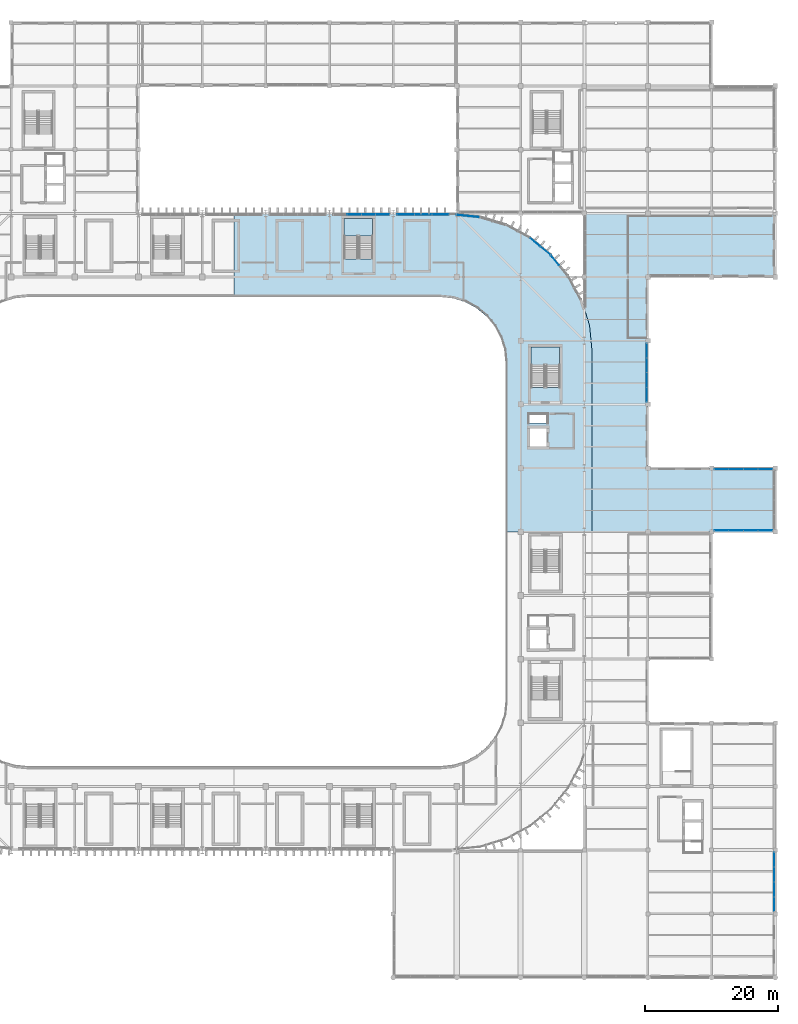
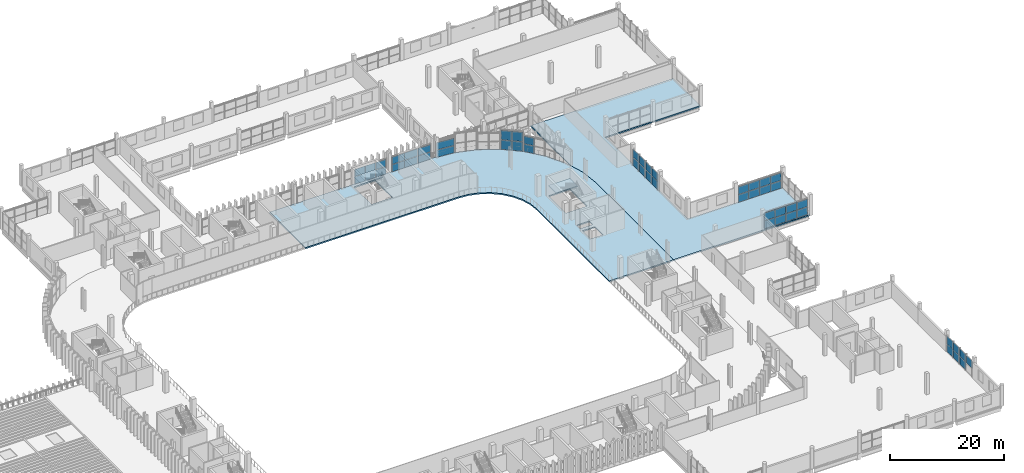
# One storey, part 52 of 92: 51 plates, 4 slabs, 11 elements without a shape of their own.
"""IFC4 building model written with IfcOpenShell, lengths in metres."""

from ifc_helpers import new_model, si_unit, direction, frame, origin, origin_2d, place, context, subcontext, project, spatial, polyline, rectangle, outline, extrude, material, layer, layer_set, type_object, element, aggregate, save


model = new_model("IFC4")

# Units and contexts
model_context = context("Model", 3, precision=1e-05, world=origin(), true_north=direction((0.0, 1.0)))
body_context = subcontext(model_context, "Body", "Model", "MODEL_VIEW")
ifc_project = project(units=[si_unit("LENGTHUNIT", "METRE"), si_unit("AREAUNIT", "SQUARE_METRE"), si_unit("VOLUMEUNIT", "CUBIC_METRE"), si_unit("PLANEANGLEUNIT", "RADIAN"), si_unit("MASSUNIT", "GRAM", prefix="KILO")], contexts=[model_context])

# Site, building, storey
site_placement = place(None, origin())
site = spatial("IfcSite", under=ifc_project, at=site_placement, CompositionType="ELEMENT")
building_placement = place(site_placement, origin())
building = spatial("IfcBuilding", under=site, at=building_placement, Name="Caelomonte Colonnade Arena", CompositionType="ELEMENT")
storey_placement = place(building_placement, frame((0.0, 0.0, 9.60009765625)))
storey = spatial("IfcBuildingStorey", under=building, at=storey_placement, Name="L02", CompositionType="ELEMENT", Elevation=9.60009765625)

# Curtain wall, plates
ifc_material_1 = material(Name="Bronze anodised aluminium and low-E glazing", Category="aluminium")
ifc_layer_1 = layer(ifc_material_1, 0.179931640625)
ifc_layer_set_1 = layer_set([ifc_layer_1], Name="Bronze anodised aluminium and low-E glazing")
curtain_wall_type_1 = type_object("IfcCurtainWallType", Name="ENV-CW-CW-L02-96-35", PredefinedType="USERDEFINED", material=ifc_layer_set_1)
curtain_wall_1_placement = place(storey_placement, origin())
curtain_wall_1 = element("IfcCurtainWall", 1, at=curtain_wall_1_placement, inside=storey, type_object=curtain_wall_type_1, Name="L02 unitized curtain wall CW-L02-1918-0144", ObjectType="UNITIZED CURTAIN WALL", PredefinedType="USERDEFINED")
ifc_material_2 = material(Name="Solar-control bronze low-E double glazing", Category="glass")
ifc_layer_2 = layer(ifc_material_2, 0.028076171875)
ifc_layer_set_2 = layer_set([ifc_layer_2], Name="Solar-control bronze low-E double glazing")
plate_type = type_object("IfcPlateType", Name="ENV-CW-PAN28", PredefinedType="CURTAIN_PANEL", material=ifc_layer_set_2)
plate_1_placement = place(storey_placement, frame((191.820068359375, 11.05615234375, 1.767578125), z_axis=(0.0, 0.0, 1.0), x_axis=(0.0, 1.0, 0.0)))
plate_1 = element("IfcPlate", 2, at=plate_1_placement, type_object=plate_type, Name="CW-L02-96-35 panel 1.2", PredefinedType="CURTAIN_PANEL", context=body_context, shape_type="SweptSolid", body=[
    extrude(rectangle(XDim=2.142578125, YDim=0.028076171875, at=origin_2d()), origin(), (0.0, 0.0, 1.0), 1.637451171875),
])
plate_2_placement = place(storey_placement, frame((191.820068359375, 13.280029296875, 0.06494140625), z_axis=(0.0, 0.0, 1.0), x_axis=(0.0, 1.0, 0.0)))
plate_2 = element("IfcPlate", 3, at=plate_2_placement, type_object=plate_type, Name="CW-L02-96-35 panel 2.1", PredefinedType="CURTAIN_PANEL", context=body_context, shape_type="SweptSolid", body=[
    extrude(rectangle(XDim=2.175048828125, YDim=0.028076171875, at=origin_2d()), origin(), (0.0, 0.0, 1.0), 1.637451171875),
])
plate_3_placement = place(storey_placement, frame((191.820068359375, 13.280029296875, 1.767578125), z_axis=(0.0, 0.0, 1.0), x_axis=(0.0, 1.0, 0.0)))
plate_3 = element("IfcPlate", 4, at=plate_3_placement, type_object=plate_type, Name="CW-L02-96-35 panel 2.2", PredefinedType="CURTAIN_PANEL", context=body_context, shape_type="SweptSolid", body=[
    extrude(rectangle(XDim=2.175048828125, YDim=0.028076171875, at=origin_2d()), origin(), (0.0, 0.0, 1.0), 1.637451171875),
])
plate_4_placement = place(storey_placement, frame((191.820068359375, 15.52001953125, 0.06494140625), z_axis=(0.0, 0.0, 1.0), x_axis=(0.0, 1.0, 0.0)))
plate_4 = element("IfcPlate", 5, at=plate_4_placement, type_object=plate_type, Name="CW-L02-96-35 panel 3.1", PredefinedType="CURTAIN_PANEL", context=body_context, shape_type="SweptSolid", body=[
    extrude(rectangle(XDim=2.175048828125, YDim=0.028076171875, at=origin_2d()), origin(), (0.0, 0.0, 1.0), 1.637451171875),
])
plate_5_placement = place(storey_placement, frame((191.820068359375, 15.52001953125, 1.767578125), z_axis=(0.0, 0.0, 1.0), x_axis=(0.0, 1.0, 0.0)))
plate_5 = element("IfcPlate", 6, at=plate_5_placement, type_object=plate_type, Name="CW-L02-96-35 panel 3.2", PredefinedType="CURTAIN_PANEL", context=body_context, shape_type="SweptSolid", body=[
    extrude(rectangle(XDim=2.175048828125, YDim=0.028076171875, at=origin_2d()), origin(), (0.0, 0.0, 1.0), 1.637451171875),
])
plate_6_placement = place(storey_placement, frame((191.820068359375, 17.74365234375, 0.06494140625), z_axis=(0.0, 0.0, 1.0), x_axis=(0.0, 1.0, 0.0)))
plate_6 = element("IfcPlate", 7, at=plate_6_placement, type_object=plate_type, Name="CW-L02-96-35 panel 4.1", PredefinedType="CURTAIN_PANEL", context=body_context, shape_type="SweptSolid", body=[
    extrude(rectangle(XDim=2.142578125, YDim=0.028076171875, at=origin_2d()), origin(), (0.0, 0.0, 1.0), 1.637451171875),
])
plate_7_placement = place(storey_placement, frame((191.820068359375, 17.74365234375, 1.767578125), z_axis=(0.0, 0.0, 1.0), x_axis=(0.0, 1.0, 0.0)))
plate_7 = element("IfcPlate", 8, at=plate_7_placement, type_object=plate_type, Name="CW-L02-96-35 panel 4.2", PredefinedType="CURTAIN_PANEL", context=body_context, shape_type="SweptSolid", body=[
    extrude(rectangle(XDim=2.142578125, YDim=0.028076171875, at=origin_2d()), origin(), (0.0, 0.0, 1.0), 1.637451171875),
])
aggregate(curtain_wall_1, [plate_1, plate_2, plate_3, plate_4, plate_5, plate_6, plate_7])

curtain_wall_2_placement = place(storey_placement, origin())
curtain_wall_2 = element("IfcCurtainWall", 9, at=curtain_wall_2_placement, inside=storey, type_object=curtain_wall_type_1, Name="L02 unitized curtain wall CW-L02-1872-0674", ObjectType="UNITIZED CURTAIN WALL", PredefinedType="USERDEFINED")
plate_8_placement = place(storey_placement, frame((183.893798828125, 67.3798828125, 0.06494140625), z_axis=(0.0, 0.0, 1.0), x_axis=(1.0, 0.0, 0.0)))
plate_8 = element("IfcPlate", 10, at=plate_8_placement, type_object=plate_type, Name="CW-L02-96-35 panel 1.1", PredefinedType="CURTAIN_PANEL", context=body_context, shape_type="SweptSolid", body=[
    extrude(rectangle(XDim=2.117431640625, YDim=0.028076171875, at=origin_2d()), origin(), (0.0, 0.0, 1.0), 1.63525390625),
])
plate_9_placement = place(storey_placement, frame((183.893798828125, 67.3798828125, 1.76513671875), z_axis=(0.0, 0.0, 1.0), x_axis=(1.0, 0.0, 0.0)))
plate_9 = element("IfcPlate", 11, at=plate_9_placement, type_object=plate_type, Name="CW-L02-96-35 panel 1.2", PredefinedType="CURTAIN_PANEL", context=body_context, shape_type="SweptSolid", body=[
    extrude(rectangle(XDim=2.117431640625, YDim=0.028076171875, at=origin_2d()), origin(), (0.0, 0.0, 1.0), 1.63525390625),
])
plate_10_placement = place(storey_placement, frame((186.092529296875, 67.3798828125, 0.06494140625), z_axis=(0.0, 0.0, 1.0), x_axis=(1.0, 0.0, 0.0)))
plate_10 = element("IfcPlate", 12, at=plate_10_placement, type_object=plate_type, Name="CW-L02-96-35 panel 2.1", PredefinedType="CURTAIN_PANEL", context=body_context, shape_type="SweptSolid", body=[
    extrude(rectangle(XDim=2.14990234375, YDim=0.028076171875, at=origin_2d()), origin(), (0.0, 0.0, 1.0), 1.63525390625),
])
plate_11_placement = place(storey_placement, frame((186.092529296875, 67.3798828125, 1.76513671875), z_axis=(0.0, 0.0, 1.0), x_axis=(1.0, 0.0, 0.0)))
plate_11 = element("IfcPlate", 13, at=plate_11_placement, type_object=plate_type, Name="CW-L02-96-35 panel 2.2", PredefinedType="CURTAIN_PANEL", context=body_context, shape_type="SweptSolid", body=[
    extrude(rectangle(XDim=2.14990234375, YDim=0.028076171875, at=origin_2d()), origin(), (0.0, 0.0, 1.0), 1.63525390625),
])
plate_12_placement = place(storey_placement, frame((188.3076171875, 67.3798828125, 0.06494140625), z_axis=(0.0, 0.0, 1.0), x_axis=(1.0, 0.0, 0.0)))
plate_12 = element("IfcPlate", 14, at=plate_12_placement, type_object=plate_type, Name="CW-L02-96-35 panel 3.1", PredefinedType="CURTAIN_PANEL", context=body_context, shape_type="SweptSolid", body=[
    extrude(rectangle(XDim=2.14990234375, YDim=0.028076171875, at=origin_2d()), origin(), (0.0, 0.0, 1.0), 1.63525390625),
])
plate_13_placement = place(storey_placement, frame((188.3076171875, 67.3798828125, 1.76513671875), z_axis=(0.0, 0.0, 1.0), x_axis=(1.0, 0.0, 0.0)))
plate_13 = element("IfcPlate", 15, at=plate_13_placement, type_object=plate_type, Name="CW-L02-96-35 panel 3.2", PredefinedType="CURTAIN_PANEL", context=body_context, shape_type="SweptSolid", body=[
    extrude(rectangle(XDim=2.14990234375, YDim=0.028076171875, at=origin_2d()), origin(), (0.0, 0.0, 1.0), 1.63525390625),
])
plate_14_placement = place(storey_placement, frame((190.50634765625, 67.3798828125, 0.06494140625), z_axis=(0.0, 0.0, 1.0), x_axis=(1.0, 0.0, 0.0)))
plate_14 = element("IfcPlate", 16, at=plate_14_placement, type_object=plate_type, Name="CW-L02-96-35 panel 4.1", PredefinedType="CURTAIN_PANEL", context=body_context, shape_type="SweptSolid", body=[
    extrude(rectangle(XDim=2.117431640625, YDim=0.028076171875, at=origin_2d()), origin(), (0.0, 0.0, 1.0), 1.63525390625),
])
plate_15_placement = place(storey_placement, frame((190.50634765625, 67.3798828125, 1.76513671875), z_axis=(0.0, 0.0, 1.0), x_axis=(1.0, 0.0, 0.0)))
plate_15 = element("IfcPlate", 17, at=plate_15_placement, type_object=plate_type, Name="CW-L02-96-35 panel 4.2", PredefinedType="CURTAIN_PANEL", context=body_context, shape_type="SweptSolid", body=[
    extrude(rectangle(XDim=2.117431640625, YDim=0.028076171875, at=origin_2d()), origin(), (0.0, 0.0, 1.0), 1.63525390625),
])
aggregate(curtain_wall_2, [plate_8, plate_9, plate_10, plate_11, plate_12, plate_13, plate_14, plate_15])

curtain_wall_3_placement = place(storey_placement, origin())
curtain_wall_3 = element("IfcCurtainWall", 18, at=curtain_wall_3_placement, inside=storey, type_object=curtain_wall_type_1, Name="L02 unitized curtain wall CW-L02-1872-0766", ObjectType="UNITIZED CURTAIN WALL", PredefinedType="USERDEFINED")
plate_16_placement = place(storey_placement, frame((190.50634765625, 76.6201171875, 0.06494140625), z_axis=(0.0, 0.0, 1.0), x_axis=(-1.0, 0.0, 0.0)))
plate_16 = element("IfcPlate", 19, at=plate_16_placement, type_object=plate_type, Name="CW-L02-96-35 panel 1.1", PredefinedType="CURTAIN_PANEL", context=body_context, shape_type="SweptSolid", body=[
    extrude(rectangle(XDim=2.117431640625, YDim=0.028076171875, at=origin_2d()), origin(), (0.0, 0.0, 1.0), 1.63525390625),
])
plate_17_placement = place(storey_placement, frame((190.50634765625, 76.6201171875, 1.76513671875), z_axis=(0.0, 0.0, 1.0), x_axis=(-1.0, 0.0, 0.0)))
plate_17 = element("IfcPlate", 20, at=plate_17_placement, type_object=plate_type, Name="CW-L02-96-35 panel 1.2", PredefinedType="CURTAIN_PANEL", context=body_context, shape_type="SweptSolid", body=[
    extrude(rectangle(XDim=2.117431640625, YDim=0.028076171875, at=origin_2d()), origin(), (0.0, 0.0, 1.0), 1.63525390625),
])
plate_18_placement = place(storey_placement, frame((188.3076171875, 76.6201171875, 0.06494140625), z_axis=(0.0, 0.0, 1.0), x_axis=(-1.0, 0.0, 0.0)))
plate_18 = element("IfcPlate", 21, at=plate_18_placement, type_object=plate_type, Name="CW-L02-96-35 panel 2.1", PredefinedType="CURTAIN_PANEL", context=body_context, shape_type="SweptSolid", body=[
    extrude(rectangle(XDim=2.14990234375, YDim=0.028076171875, at=origin_2d()), origin(), (0.0, 0.0, 1.0), 1.63525390625),
])
plate_19_placement = place(storey_placement, frame((188.3076171875, 76.6201171875, 1.76513671875), z_axis=(0.0, 0.0, 1.0), x_axis=(-1.0, 0.0, 0.0)))
plate_19 = element("IfcPlate", 22, at=plate_19_placement, type_object=plate_type, Name="CW-L02-96-35 panel 2.2", PredefinedType="CURTAIN_PANEL", context=body_context, shape_type="SweptSolid", body=[
    extrude(rectangle(XDim=2.14990234375, YDim=0.028076171875, at=origin_2d()), origin(), (0.0, 0.0, 1.0), 1.63525390625),
])
plate_20_placement = place(storey_placement, frame((186.092529296875, 76.6201171875, 0.06494140625), z_axis=(0.0, 0.0, 1.0), x_axis=(-1.0, 0.0, 0.0)))
plate_20 = element("IfcPlate", 23, at=plate_20_placement, type_object=plate_type, Name="CW-L02-96-35 panel 3.1", PredefinedType="CURTAIN_PANEL", context=body_context, shape_type="SweptSolid", body=[
    extrude(rectangle(XDim=2.14990234375, YDim=0.028076171875, at=origin_2d()), origin(), (0.0, 0.0, 1.0), 1.63525390625),
])
plate_21_placement = place(storey_placement, frame((186.092529296875, 76.6201171875, 1.76513671875), z_axis=(0.0, 0.0, 1.0), x_axis=(-1.0, 0.0, 0.0)))
plate_21 = element("IfcPlate", 24, at=plate_21_placement, type_object=plate_type, Name="CW-L02-96-35 panel 3.2", PredefinedType="CURTAIN_PANEL", context=body_context, shape_type="SweptSolid", body=[
    extrude(rectangle(XDim=2.14990234375, YDim=0.028076171875, at=origin_2d()), origin(), (0.0, 0.0, 1.0), 1.63525390625),
])
plate_22_placement = place(storey_placement, frame((183.893798828125, 76.6201171875, 0.06494140625), z_axis=(0.0, 0.0, 1.0), x_axis=(-1.0, 0.0, 0.0)))
plate_22 = element("IfcPlate", 25, at=plate_22_placement, type_object=plate_type, Name="CW-L02-96-35 panel 4.1", PredefinedType="CURTAIN_PANEL", context=body_context, shape_type="SweptSolid", body=[
    extrude(rectangle(XDim=2.117431640625, YDim=0.028076171875, at=origin_2d()), origin(), (0.0, 0.0, 1.0), 1.63525390625),
])
plate_23_placement = place(storey_placement, frame((183.893798828125, 76.6201171875, 1.76513671875), z_axis=(0.0, 0.0, 1.0), x_axis=(-1.0, 0.0, 0.0)))
plate_23 = element("IfcPlate", 26, at=plate_23_placement, type_object=plate_type, Name="CW-L02-96-35 panel 4.2", PredefinedType="CURTAIN_PANEL", context=body_context, shape_type="SweptSolid", body=[
    extrude(rectangle(XDim=2.117431640625, YDim=0.028076171875, at=origin_2d()), origin(), (0.0, 0.0, 1.0), 1.63525390625),
])
aggregate(curtain_wall_3, [plate_16, plate_17, plate_18, plate_19, plate_20, plate_21, plate_22, plate_23])

ifc_layer_3 = layer(ifc_material_1, 0.179931640625)
ifc_layer_set_3 = layer_set([ifc_layer_3], Name="Bronze anodised aluminium and low-E glazing")
curtain_wall_type_2 = type_object("IfcCurtainWallType", Name="ENV-CW-CW-L02-96-36", PredefinedType="USERDEFINED", material=ifc_layer_set_3)
curtain_wall_4_placement = place(storey_placement, origin())
curtain_wall_4 = element("IfcCurtainWall", 27, at=curtain_wall_4_placement, inside=storey, type_object=curtain_wall_type_2, Name="L02 unitized curtain wall CW-L02-1726-0912", ObjectType="UNITIZED CURTAIN WALL", PredefinedType="USERDEFINED")
plate_24_placement = place(storey_placement, frame((172.6201171875, 87.893798828125, 0.06494140625), z_axis=(0.0, 0.0, 1.0), x_axis=(0.0, 1.0, 0.0)))
plate_24 = element("IfcPlate", 28, at=plate_24_placement, type_object=plate_type, Name="CW-L02-96-36 panel 1.1", PredefinedType="CURTAIN_PANEL", context=body_context, shape_type="SweptSolid", body=[
    extrude(rectangle(XDim=2.117431640625, YDim=0.028076171875, at=origin_2d()), origin(), (0.0, 0.0, 1.0), 1.708984375),
])
plate_25_placement = place(storey_placement, frame((172.6201171875, 87.893798828125, 1.8388671875), z_axis=(0.0, 0.0, 1.0), x_axis=(0.0, 1.0, 0.0)))
plate_25 = element("IfcPlate", 29, at=plate_25_placement, type_object=plate_type, Name="CW-L02-96-36 panel 1.2", PredefinedType="CURTAIN_PANEL", context=body_context, shape_type="SweptSolid", body=[
    extrude(rectangle(XDim=2.117431640625, YDim=0.028076171875, at=origin_2d()), origin(), (0.0, 0.0, 1.0), 1.708984375),
])
plate_26_placement = place(storey_placement, frame((172.6201171875, 90.092529296875, 0.06494140625), z_axis=(0.0, 0.0, 1.0), x_axis=(0.0, 1.0, 0.0)))
plate_26 = element("IfcPlate", 30, at=plate_26_placement, type_object=plate_type, Name="CW-L02-96-36 panel 2.1", PredefinedType="CURTAIN_PANEL", context=body_context, shape_type="SweptSolid", body=[
    extrude(rectangle(XDim=2.14990234375, YDim=0.028076171875, at=origin_2d()), origin(), (0.0, 0.0, 1.0), 1.708984375),
])
plate_27_placement = place(storey_placement, frame((172.6201171875, 90.092529296875, 1.8388671875), z_axis=(0.0, 0.0, 1.0), x_axis=(0.0, 1.0, 0.0)))
plate_27 = element("IfcPlate", 31, at=plate_27_placement, type_object=plate_type, Name="CW-L02-96-36 panel 2.2", PredefinedType="CURTAIN_PANEL", context=body_context, shape_type="SweptSolid", body=[
    extrude(rectangle(XDim=2.14990234375, YDim=0.028076171875, at=origin_2d()), origin(), (0.0, 0.0, 1.0), 1.708984375),
])
plate_28_placement = place(storey_placement, frame((172.6201171875, 92.3076171875, 0.06494140625), z_axis=(0.0, 0.0, 1.0), x_axis=(0.0, 1.0, 0.0)))
plate_28 = element("IfcPlate", 32, at=plate_28_placement, type_object=plate_type, Name="CW-L02-96-36 panel 3.1", PredefinedType="CURTAIN_PANEL", context=body_context, shape_type="SweptSolid", body=[
    extrude(rectangle(XDim=2.14990234375, YDim=0.028076171875, at=origin_2d()), origin(), (0.0, 0.0, 1.0), 1.708984375),
])
plate_29_placement = place(storey_placement, frame((172.6201171875, 92.3076171875, 1.8388671875), z_axis=(0.0, 0.0, 1.0), x_axis=(0.0, 1.0, 0.0)))
plate_29 = element("IfcPlate", 33, at=plate_29_placement, type_object=plate_type, Name="CW-L02-96-36 panel 3.2", PredefinedType="CURTAIN_PANEL", context=body_context, shape_type="SweptSolid", body=[
    extrude(rectangle(XDim=2.14990234375, YDim=0.028076171875, at=origin_2d()), origin(), (0.0, 0.0, 1.0), 1.708984375),
])
plate_30_placement = place(storey_placement, frame((172.6201171875, 94.50634765625, 0.06494140625), z_axis=(0.0, 0.0, 1.0), x_axis=(0.0, 1.0, 0.0)))
plate_30 = element("IfcPlate", 34, at=plate_30_placement, type_object=plate_type, Name="CW-L02-96-36 panel 4.1", PredefinedType="CURTAIN_PANEL", context=body_context, shape_type="SweptSolid", body=[
    extrude(rectangle(XDim=2.117431640625, YDim=0.028076171875, at=origin_2d()), origin(), (0.0, 0.0, 1.0), 1.708984375),
])
plate_31_placement = place(storey_placement, frame((172.6201171875, 94.50634765625, 1.8388671875), z_axis=(0.0, 0.0, 1.0), x_axis=(0.0, 1.0, 0.0)))
plate_31 = element("IfcPlate", 35, at=plate_31_placement, type_object=plate_type, Name="CW-L02-96-36 panel 4.2", PredefinedType="CURTAIN_PANEL", context=body_context, shape_type="SweptSolid", body=[
    extrude(rectangle(XDim=2.117431640625, YDim=0.028076171875, at=origin_2d()), origin(), (0.0, 0.0, 1.0), 1.708984375),
])
aggregate(curtain_wall_4, [plate_24, plate_25, plate_26, plate_27, plate_28, plate_29, plate_30, plate_31])

ifc_layer_4 = layer(ifc_material_1, 0.179931640625)
ifc_layer_set_4 = layer_set([ifc_layer_4], Name="Bronze anodised aluminium and low-E glazing")
curtain_wall_type_3 = type_object("IfcCurtainWallType", Name="ENV-CW-CW-L02-44-35", PredefinedType="USERDEFINED", material=ifc_layer_set_4)
curtain_wall_5_placement = place(storey_placement, origin())
curtain_wall_5 = element("IfcCurtainWall", 36, at=curtain_wall_5_placement, inside=storey, type_object=curtain_wall_type_3, Name="L02 unitized curtain wall CW-L02-1594-1073", ObjectType="UNITIZED CURTAIN WALL", PredefinedType="USERDEFINED")
plate_32_placement = place(storey_placement, frame((158.786865234375, 108.1103515625, 0.06982421875), z_axis=(0.0, 0.0, 1.0), x_axis=(-0.634416071163, 0.772991751994, 0.0)))
plate_32 = element("IfcPlate", 37, at=plate_32_placement, type_object=plate_type, Name="CW-L02-44-35 panel 2.1", PredefinedType="CURTAIN_PANEL", context=body_context, shape_type="SweptSolid", body=[
    extrude(rectangle(XDim=1.913330078125, YDim=0.028076171875, at=origin_2d()), origin(), (0.0, 0.0, 1.0), 1.627685546875),
])
plate_33_placement = place(storey_placement, frame((158.786865234375, 108.1103515625, 1.767578125), z_axis=(0.0, 0.0, 1.0), x_axis=(-0.634416071163, 0.772991751994, 0.0)))
plate_33 = element("IfcPlate", 38, at=plate_33_placement, type_object=plate_type, Name="CW-L02-44-35 panel 2.2", PredefinedType="CURTAIN_PANEL", context=body_context, shape_type="SweptSolid", body=[
    extrude(rectangle(XDim=1.913330078125, YDim=0.028076171875, at=origin_2d()), origin(), (0.0, 0.0, 1.0), 1.627685546875),
])
aggregate(curtain_wall_5, [plate_32, plate_33])

ifc_layer_5 = layer(ifc_material_1, 0.179931640625)
ifc_layer_set_5 = layer_set([ifc_layer_5], Name="Bronze anodised aluminium and low-E glazing")
curtain_wall_type_4 = type_object("IfcCurtainWallType", Name="ENV-CW-CW-L02-44-42", PredefinedType="USERDEFINED", material=ifc_layer_set_5)
curtain_wall_6_placement = place(storey_placement, origin())
curtain_wall_6 = element("IfcCurtainWall", 39, at=curtain_wall_6_placement, inside=storey, type_object=curtain_wall_type_4, Name="L02 unitized curtain wall CW-L02-1565-1102", ObjectType="UNITIZED CURTAIN WALL", PredefinedType="USERDEFINED")
plate_34_placement = place(storey_placement, frame((157.310546875, 109.586669921875, 0.070068359375), z_axis=(0.0, 0.0, 1.0), x_axis=(-0.772991751994, 0.634416071163, 0.0)))
plate_34 = element("IfcPlate", 40, at=plate_34_placement, type_object=plate_type, Name="CW-L02-44-42 panel 1.1", PredefinedType="CURTAIN_PANEL", context=body_context, shape_type="SweptSolid", body=[
    extrude(rectangle(XDim=1.913330078125, YDim=0.028076171875, at=origin_2d()), origin(), (0.0, 0.0, 1.0), 2.0048828125),
])
plate_35_placement = place(storey_placement, frame((157.310546875, 109.586669921875, 2.14501953125), z_axis=(0.0, 0.0, 1.0), x_axis=(-0.772991751994, 0.634416071163, 0.0)))
plate_35 = element("IfcPlate", 41, at=plate_35_placement, type_object=plate_type, Name="CW-L02-44-42 panel 1.2", PredefinedType="CURTAIN_PANEL", context=body_context, shape_type="SweptSolid", body=[
    extrude(rectangle(XDim=1.913330078125, YDim=0.028076171875, at=origin_2d()), origin(), (0.0, 0.0, 1.0), 2.0048828125),
])
plate_36_placement = place(storey_placement, frame((155.77734375, 110.844970703125, 0.070068359375), z_axis=(0.0, 0.0, 1.0), x_axis=(-0.772991751994, 0.634416071163, 0.0)))
plate_36 = element("IfcPlate", 42, at=plate_36_placement, type_object=plate_type, Name="CW-L02-44-42 panel 2.1", PredefinedType="CURTAIN_PANEL", context=body_context, shape_type="SweptSolid", body=[
    extrude(rectangle(XDim=1.913330078125, YDim=0.028076171875, at=origin_2d()), origin(), (0.0, 0.0, 1.0), 2.0048828125),
])
plate_37_placement = place(storey_placement, frame((155.77734375, 110.844970703125, 2.14501953125), z_axis=(0.0, 0.0, 1.0), x_axis=(-0.772991751994, 0.634416071163, 0.0)))
plate_37 = element("IfcPlate", 43, at=plate_37_placement, type_object=plate_type, Name="CW-L02-44-42 panel 2.2", PredefinedType="CURTAIN_PANEL", context=body_context, shape_type="SweptSolid", body=[
    extrude(rectangle(XDim=1.913330078125, YDim=0.028076171875, at=origin_2d()), origin(), (0.0, 0.0, 1.0), 2.0048828125),
])
aggregate(curtain_wall_6, [plate_34, plate_35, plate_36, plate_37])

ifc_layer_6 = layer(ifc_material_1, 0.179931640625)
ifc_layer_set_6 = layer_set([ifc_layer_6], Name="Bronze anodised aluminium and low-E glazing")
curtain_wall_type_5 = type_object("IfcCurtainWallType", Name="ENV-CW-CW-L02-42-33", PredefinedType="USERDEFINED", material=ifc_layer_set_6)
curtain_wall_7_placement = place(storey_placement, origin())
curtain_wall_7 = element("IfcCurtainWall", 44, at=curtain_wall_7_placement, inside=storey, type_object=curtain_wall_type_5, Name="L02 unitized curtain wall CW-L02-1455-1148", ObjectType="UNITIZED CURTAIN WALL", PredefinedType="USERDEFINED")
plate_38_placement = place(storey_placement, frame((145.67236328125, 114.79541015625, 0.06982421875), z_axis=(0.0, 0.0, 1.0), x_axis=(-0.995184134744, 0.098023150088, 0.0)))
plate_38 = element("IfcPlate", 45, at=plate_38_placement, type_object=plate_type, Name="CW-L02-42-33 panel 1.1", PredefinedType="CURTAIN_PANEL", context=body_context, shape_type="SweptSolid", body=[
    extrude(rectangle(XDim=3.4111328125, YDim=0.028076171875, at=origin_2d()), origin(), (0.0, 0.0, 1.0), 1.54150390625),
])
plate_39_placement = place(storey_placement, frame((145.67236328125, 114.79541015625, 1.681396484375), z_axis=(0.0, 0.0, 1.0), x_axis=(-0.995184134744, 0.098023150088, 0.0)))
plate_39 = element("IfcPlate", 46, at=plate_39_placement, type_object=plate_type, Name="CW-L02-42-33 panel 1.2", PredefinedType="CURTAIN_PANEL", context=body_context, shape_type="SweptSolid", body=[
    extrude(rectangle(XDim=3.4111328125, YDim=0.028076171875, at=origin_2d()), origin(), (0.0, 0.0, 1.0), 1.54150390625),
])
aggregate(curtain_wall_7, [plate_38, plate_39])

ifc_layer_7 = layer(ifc_material_1, 0.179931640625)
ifc_layer_set_7 = layer_set([ifc_layer_7], Name="Bronze anodised aluminium and low-E glazing")
curtain_wall_type_6 = type_object("IfcCurtainWallType", Name="ENV-CW-CW-L02-90-33", PredefinedType="USERDEFINED", material=ifc_layer_set_7)
curtain_wall_8_placement = place(storey_placement, origin())
curtain_wall_8 = element("IfcCurtainWall", 47, at=curtain_wall_8_placement, inside=storey, type_object=curtain_wall_type_6, Name="L02 unitized curtain wall CW-L02-1389-1150", ObjectType="UNITIZED CURTAIN WALL", PredefinedType="USERDEFINED")
plate_40_placement = place(storey_placement, frame((141.5322265625, 115.02001953125, 0.06982421875), z_axis=(0.0, 0.0, 1.0), x_axis=(-1.0, 0.0, 0.0)))
plate_40 = element("IfcPlate", 48, at=plate_40_placement, type_object=plate_type, Name="CW-L02-90-33 panel 1.1", PredefinedType="CURTAIN_PANEL", context=body_context, shape_type="SweptSolid", body=[
    extrude(rectangle(XDim=2.544677734375, YDim=0.028076171875, at=origin_2d()), origin(), (0.0, 0.0, 1.0), 1.54150390625),
])
plate_41_placement = place(storey_placement, frame((141.5322265625, 115.02001953125, 1.681396484375), z_axis=(0.0, 0.0, 1.0), x_axis=(-1.0, 0.0, 0.0)))
plate_41 = element("IfcPlate", 49, at=plate_41_placement, type_object=plate_type, Name="CW-L02-90-33 panel 1.2", PredefinedType="CURTAIN_PANEL", context=body_context, shape_type="SweptSolid", body=[
    extrude(rectangle(XDim=2.544677734375, YDim=0.028076171875, at=origin_2d()), origin(), (0.0, 0.0, 1.0), 1.54150390625),
])
plate_42_placement = place(storey_placement, frame((138.89990234375, 115.02001953125, 0.06982421875), z_axis=(0.0, 0.0, 1.0), x_axis=(-1.0, 0.0, 0.0)))
plate_42 = element("IfcPlate", 50, at=plate_42_placement, type_object=plate_type, Name="CW-L02-90-33 panel 2.1", PredefinedType="CURTAIN_PANEL", context=body_context, shape_type="SweptSolid", body=[
    extrude(rectangle(XDim=2.57958984375, YDim=0.028076171875, at=origin_2d()), origin(), (0.0, 0.0, 1.0), 1.54150390625),
])
plate_43_placement = place(storey_placement, frame((138.89990234375, 115.02001953125, 1.681396484375), z_axis=(0.0, 0.0, 1.0), x_axis=(-1.0, 0.0, 0.0)))
plate_43 = element("IfcPlate", 51, at=plate_43_placement, type_object=plate_type, Name="CW-L02-90-33 panel 2.2", PredefinedType="CURTAIN_PANEL", context=body_context, shape_type="SweptSolid", body=[
    extrude(rectangle(XDim=2.57958984375, YDim=0.028076171875, at=origin_2d()), origin(), (0.0, 0.0, 1.0), 1.54150390625),
])
plate_44_placement = place(storey_placement, frame((136.267822265625, 115.02001953125, 0.06982421875), z_axis=(0.0, 0.0, 1.0), x_axis=(-1.0, 0.0, 0.0)))
plate_44 = element("IfcPlate", 52, at=plate_44_placement, type_object=plate_type, Name="CW-L02-90-33 panel 3.1", PredefinedType="CURTAIN_PANEL", context=body_context, shape_type="SweptSolid", body=[
    extrude(rectangle(XDim=2.544677734375, YDim=0.028076171875, at=origin_2d()), origin(), (0.0, 0.0, 1.0), 1.54150390625),
])
plate_45_placement = place(storey_placement, frame((136.267822265625, 115.02001953125, 1.681396484375), z_axis=(0.0, 0.0, 1.0), x_axis=(-1.0, 0.0, 0.0)))
plate_45 = element("IfcPlate", 53, at=plate_45_placement, type_object=plate_type, Name="CW-L02-90-33 panel 3.2", PredefinedType="CURTAIN_PANEL", context=body_context, shape_type="SweptSolid", body=[
    extrude(rectangle(XDim=2.544677734375, YDim=0.028076171875, at=origin_2d()), origin(), (0.0, 0.0, 1.0), 1.54150390625),
])
aggregate(curtain_wall_8, [plate_40, plate_41, plate_42, plate_43, plate_44, plate_45])

ifc_layer_8 = layer(ifc_material_1, 0.179931640625)
ifc_layer_set_8 = layer_set([ifc_layer_8], Name="Bronze anodised aluminium and low-E glazing")
curtain_wall_type_7 = type_object("IfcCurtainWallType", Name="ENV-CW-CW-L02-96-33", PredefinedType="USERDEFINED", material=ifc_layer_set_8)
curtain_wall_9_placement = place(storey_placement, origin())
curtain_wall_9 = element("IfcCurtainWall", 54, at=curtain_wall_9_placement, inside=storey, type_object=curtain_wall_type_7, Name="L02 unitized curtain wall CW-L02-1296-1150", ObjectType="UNITIZED CURTAIN WALL", PredefinedType="USERDEFINED")
plate_46_placement = place(storey_placement, frame((132.788330078125, 115.02001953125, 0.06982421875), z_axis=(0.0, 0.0, 1.0), x_axis=(-1.0, 0.0, 0.0)))
plate_46 = element("IfcPlate", 55, at=plate_46_placement, type_object=plate_type, Name="CW-L02-96-33 panel 1.1", PredefinedType="CURTAIN_PANEL", context=body_context, shape_type="SweptSolid", body=[
    extrude(rectangle(XDim=2.0322265625, YDim=0.028076171875, at=origin_2d()), origin(), (0.0, 0.0, 1.0), 1.54150390625),
])
plate_47_placement = place(storey_placement, frame((132.788330078125, 115.02001953125, 1.681396484375), z_axis=(0.0, 0.0, 1.0), x_axis=(-1.0, 0.0, 0.0)))
plate_47 = element("IfcPlate", 56, at=plate_47_placement, type_object=plate_type, Name="CW-L02-96-33 panel 1.2", PredefinedType="CURTAIN_PANEL", context=body_context, shape_type="SweptSolid", body=[
    extrude(rectangle(XDim=2.0322265625, YDim=0.028076171875, at=origin_2d()), origin(), (0.0, 0.0, 1.0), 1.54150390625),
])
plate_48_placement = place(storey_placement, frame((130.668701171875, 115.02001953125, 0.06982421875), z_axis=(0.0, 0.0, 1.0), x_axis=(-1.0, 0.0, 0.0)))
plate_48 = element("IfcPlate", 57, at=plate_48_placement, type_object=plate_type, Name="CW-L02-96-33 panel 2.1", PredefinedType="CURTAIN_PANEL", context=body_context, shape_type="SweptSolid", body=[
    extrude(rectangle(XDim=2.067138671875, YDim=0.028076171875, at=origin_2d()), origin(), (0.0, 0.0, 1.0), 1.54150390625),
])
plate_49_placement = place(storey_placement, frame((130.668701171875, 115.02001953125, 1.681396484375), z_axis=(0.0, 0.0, 1.0), x_axis=(-1.0, 0.0, 0.0)))
plate_49 = element("IfcPlate", 58, at=plate_49_placement, type_object=plate_type, Name="CW-L02-96-33 panel 2.2", PredefinedType="CURTAIN_PANEL", context=body_context, shape_type="SweptSolid", body=[
    extrude(rectangle(XDim=2.067138671875, YDim=0.028076171875, at=origin_2d()), origin(), (0.0, 0.0, 1.0), 1.54150390625),
])
plate_50_placement = place(storey_placement, frame((128.531494140625, 115.02001953125, 0.06982421875), z_axis=(0.0, 0.0, 1.0), x_axis=(-1.0, 0.0, 0.0)))
plate_50 = element("IfcPlate", 59, at=plate_50_placement, type_object=plate_type, Name="CW-L02-96-33 panel 3.1", PredefinedType="CURTAIN_PANEL", context=body_context, shape_type="SweptSolid", body=[
    extrude(rectangle(XDim=2.067138671875, YDim=0.028076171875, at=origin_2d()), origin(), (0.0, 0.0, 1.0), 1.54150390625),
])
plate_51_placement = place(storey_placement, frame((128.531494140625, 115.02001953125, 1.681396484375), z_axis=(0.0, 0.0, 1.0), x_axis=(-1.0, 0.0, 0.0)))
plate_51 = element("IfcPlate", 60, at=plate_51_placement, type_object=plate_type, Name="CW-L02-96-33 panel 3.2", PredefinedType="CURTAIN_PANEL", context=body_context, shape_type="SweptSolid", body=[
    extrude(rectangle(XDim=2.067138671875, YDim=0.028076171875, at=origin_2d()), origin(), (0.0, 0.0, 1.0), 1.54150390625),
])
aggregate(curtain_wall_9, [plate_46, plate_47, plate_48, plate_49, plate_50, plate_51])

# Stair, slab
ifc_material_3 = material(Name="Concrete C40/50", Category="concrete")
stair_type_1 = type_object("IfcStairType", Name="INT-ST-WING45", PredefinedType="HALF_TURN_STAIR", material=ifc_material_3)
stair_1_placement = place(storey_placement, origin())
stair_1 = element("IfcStair", 61, at=stair_1_placement, inside=storey, type_object=stair_type_1, Name="L02 Core C3 exit stair ST-03", PredefinedType="HALF_TURN_STAIR")
ifc_layer_9 = layer(ifc_material_3, 0.199951171875)
ifc_layer_set_9 = layer_set([ifc_layer_9], Name="Concrete C40/50")
slab_type_1 = type_object("IfcSlabType", Name="INT-SL-LAND20", PredefinedType="LANDING", material=ifc_layer_set_9)
slab_1_placement = place(storey_placement, frame((0.0, 0.0, 2.0498046875)))
slab_1 = element("IfcSlab", 62, at=slab_1_placement, type_object=slab_type_1, Name="ST-03 landing 1", PredefinedType="LANDING", context=body_context, shape_type="SweptSolid", body=[
    extrude(outline(polyline([(159.5, 92.3701171875), (159.5, 95.050048828125), (155.199951171875, 95.050048828125), (155.199951171875, 92.3701171875), (159.5, 92.3701171875)])), origin(), (0.0, 0.0, 1.0), 0.2001953125),
])
aggregate(stair_1, [slab_1])

stair_type_2 = type_object("IfcStairType", Name="INT-ST-CORE45", PredefinedType="HALF_TURN_STAIR", material=ifc_material_3)
stair_2_placement = place(storey_placement, origin())
stair_2 = element("IfcStair", 63, at=stair_2_placement, inside=storey, type_object=stair_type_2, Name="L02 Protected exit stair ST-16", PredefinedType="HALF_TURN_STAIR")
slab_2_placement = place(storey_placement, frame((0.0, 0.0, 2.0498046875)))
slab_2 = element("IfcSlab", 64, at=slab_2_placement, type_object=slab_type_1, Name="ST-16 landing 1", PredefinedType="LANDING", context=body_context, shape_type="SweptSolid", body=[
    extrude(outline(polyline([(131.300048828125, 111.77001953125), (131.300048828125, 114.449951171875), (127.0, 114.449951171875), (127.0, 111.77001953125), (131.300048828125, 111.77001953125)])), origin(), (0.0, 0.0, 1.0), 0.2001953125),
])
aggregate(stair_2, [slab_2])

# Slabs
ifc_layer_10 = layer(ifc_material_3, 0.280029296875)
ifc_layer_set_10 = layer_set([ifc_layer_10], Name="Concrete C40/50")
slab_type_2 = type_object("IfcSlabType", Name="STR-SL-FLR28", PredefinedType="FLOOR", material=ifc_layer_set_10)
slab_3_placement = place(storey_placement, frame((0.0, 0.0, -0.280029296875)))
element("IfcSlab", 65, at=slab_3_placement, inside=storey, type_object=slab_type_2, Name="L02 structural floor slab SL-L02-V1-NE", PredefinedType="FLOOR", context=body_context, shape_type="SweptSolid", body=[
    extrude(outline(polyline([(143.39990234375, 115.199951171875), (110.39990234375, 115.199951171875), (110.39990234375, 102.60009765625), (141.39990234375, 102.60009765625), (143.350830078125, 102.407958984375), (145.226806640625, 101.8388671875), (146.955810546875, 100.914794921875), (148.47119140625, 99.671142578125), (149.714599609375, 98.15576171875), (150.638916015625, 96.4267578125), (151.2080078125, 94.55078125), (151.39990234375, 92.60009765625), (151.39990234375, 67.199951171875), (164.39990234375, 67.199951171875), (164.39990234375, 94.199951171875), (163.99658203125, 98.296875), (162.801513671875, 102.236328125), (160.86083984375, 105.866943359375), (158.249267578125, 109.04931640625), (155.06689453125, 111.660888671875), (151.436279296875, 113.6015625), (147.496826171875, 114.79638671875), (143.39990234375, 115.199951171875)]), holes=[polyline([(154.97998046875, 79.97998046875), (154.97998046875, 82.820068359375), (157.52001953125, 82.820068359375), (157.52001953125, 79.97998046875), (154.97998046875, 79.97998046875)]), polyline([(154.97998046875, 83.580078125), (154.97998046875, 84.820068359375), (157.52001953125, 84.820068359375), (157.52001953125, 83.580078125), (154.97998046875, 83.580078125)]), polyline([(155.199951171875, 88.949951171875), (155.199951171875, 95.050048828125), (159.5, 95.050048828125), (159.5, 88.949951171875), (155.199951171875, 88.949951171875)]), polyline([(127.0, 108.35009765625), (127.0, 114.449951171875), (131.300048828125, 114.449951171875), (131.300048828125, 108.35009765625), (127.0, 108.35009765625)])]), origin(), (0.0, 0.0, 1.0), 0.280029296875),
])
slab_4_placement = place(storey_placement, frame((0.0, 0.0, -0.280029296875)))
element("IfcSlab", 66, at=slab_4_placement, inside=storey, type_object=slab_type_2, Name="L02 structural floor slab SL-L02-V4-E", PredefinedType="FLOOR", context=body_context, shape_type="SweptSolid", body=[
    extrude(outline(polyline([(164.39990234375, 67.199951171875), (192.0, 67.199951171875), (192.0, 76.800048828125), (172.800048828125, 76.800048828125), (172.800048828125, 105.60009765625), (192.0, 105.60009765625), (192.0, 115.199951171875), (163.199951171875, 115.199951171875), (163.199951171875, 100.922607421875), (163.99658203125, 98.296875), (164.39990234375, 94.199951171875), (164.39990234375, 67.199951171875)])), origin(), (0.0, 0.0, 1.0), 0.280029296875),
])

save(model, "model.ifc")
